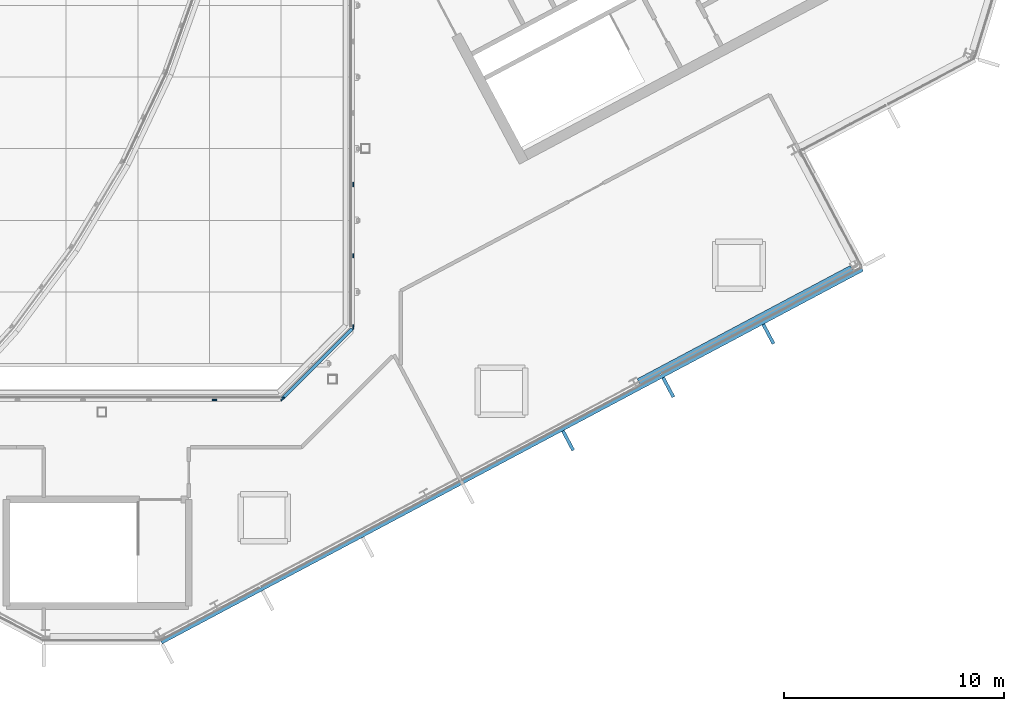
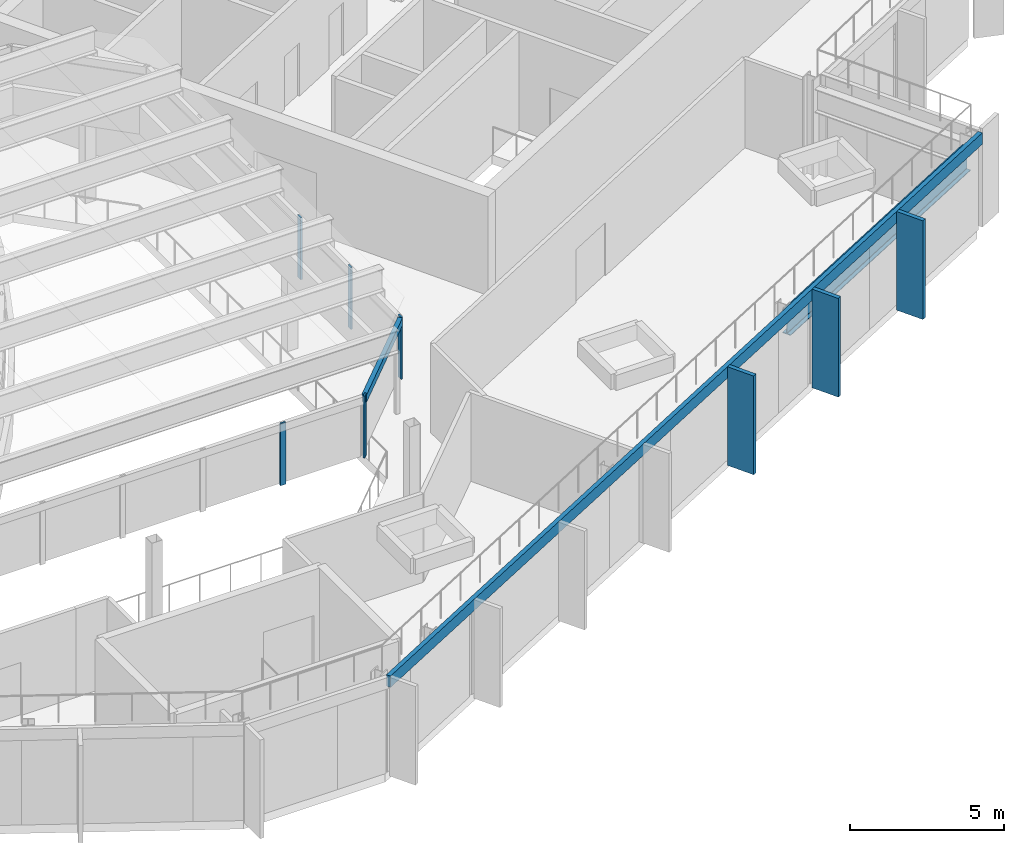
# One storey, part 15 of 35: 10 members, 1 beam, 4 elements without a shape of their own.
"""IFC4 building model written with IfcOpenShell, lengths in metres."""

from ifc_helpers import new_model, si_unit, direction, frame, origin, origin_2d, place, context, subcontext, project, spatial, rectangle, i_section, extrude, material, layer, layer_set, material_profile, profile_set, type_object, element, aggregate, save


model = new_model("IFC4")

# Units and contexts
model_context = context("Model", 3, precision=1e-05, world=origin(), true_north=direction((0.0, 1.0)))
body_context = subcontext(model_context, "Body", "Model", "MODEL_VIEW")
ifc_project = project(units=[si_unit("LENGTHUNIT", "METRE"), si_unit("AREAUNIT", "SQUARE_METRE"), si_unit("VOLUMEUNIT", "CUBIC_METRE"), si_unit("PLANEANGLEUNIT", "RADIAN"), si_unit("MASSUNIT", "GRAM", prefix="KILO")], contexts=[model_context])

# Site, building, storey
site_placement = place(None, origin())
site = spatial("IfcSite", under=ifc_project, at=site_placement, CompositionType="ELEMENT")
building_placement = place(site_placement, origin())
building = spatial("IfcBuilding", under=site, at=building_placement, Name="Cormorant Relay Tower", CompositionType="ELEMENT")
storey_placement = place(building_placement, frame((0.0, 0.0, 324.300048828125)))
storey = spatial("IfcBuildingStorey", under=building, at=storey_placement, Name="L74", CompositionType="ELEMENT", Elevation=324.300048828125)

# Curtain wall, members
ifc_material_1 = material(Name="Aluminium 6063-T6 anodised bronze", Category="aluminium")
ifc_layer_1 = layer(ifc_material_1, 0.199951171875)
ifc_layer_set_1 = layer_set([ifc_layer_1], Name="CW1 unitised bronze curtain wall with vertical fins")
curtain_wall_type_1 = type_object("IfcCurtainWallType", Name="CW1 unitised bronze curtain wall with vertical fins", PredefinedType="NOTDEFINED", material=ifc_layer_set_1)
curtain_wall_1_placement = place(storey_placement, origin())
curtain_wall_1 = element("IfcCurtainWall", 1, at=curtain_wall_1_placement, inside=storey, type_object=curtain_wall_type_1, Name="CW1 curtain wall 2", PredefinedType="NOTDEFINED")
ifc_material_2 = material(Name="Aluminium 6063-T6 anodised bronze", Category="aluminium")
ifc_material_profile_1 = material_profile(ifc_material_2, rectangle(XDim=0.14990234375, YDim=1.0, at=origin_2d()), Name="AL 150x1000")
ifc_profile_set_1 = profile_set([ifc_material_profile_1], Name="Aluminium 6063-T6 anodised bronze")
member_type_1 = type_object("IfcMemberType", Name="CW1 bronze fin mullion 150 x 1000", PredefinedType="MULLION", material=ifc_profile_set_1)
member_1_placement = place(storey_placement, frame((21.224609375, -13.29150390625, 0.0), z_axis=(0.0, 0.0, 1.0), x_axis=(0.882947592859, 0.469471562786, 0.0)))
member_1 = element("IfcMember", 2, at=member_1_placement, type_object=member_type_1, Name="CW1 fin 2.5", PredefinedType="MULLION", context=body_context, shape_type="SweptSolid", body=[
    extrude(rectangle(XDim=0.14990234375, YDim=1.0, at=origin_2d()), origin(), (0.0, 0.0, 1.0), 3.89990234375),
])
member_2_placement = place(storey_placement, frame((25.78662109375, -10.865966796875, 0.0), z_axis=(0.0, 0.0, 1.0), x_axis=(0.882947592859, 0.469471562786, 0.0)))
member_2 = element("IfcMember", 3, at=member_2_placement, type_object=member_type_1, Name="CW1 fin 2.6", PredefinedType="MULLION", context=body_context, shape_type="SweptSolid", body=[
    extrude(rectangle(XDim=0.14990234375, YDim=1.0, at=origin_2d()), origin(), (0.0, 0.0, 1.0), 3.89990234375),
])
member_3_placement = place(storey_placement, frame((30.348388671875, -8.440185546875, 0.0), z_axis=(0.0, 0.0, 1.0), x_axis=(0.882947592859, 0.469471562786, 0.0)))
member_3 = element("IfcMember", 4, at=member_3_placement, type_object=member_type_1, Name="CW1 fin 2.7", PredefinedType="MULLION", context=body_context, shape_type="SweptSolid", body=[
    extrude(rectangle(XDim=0.14990234375, YDim=1.0, at=origin_2d()), origin(), (0.0, 0.0, 1.0), 3.89990234375),
])
ifc_material_3 = material(Name="Aluminium 6063-T6 anodised bronze", Category="aluminium")
ifc_material_profile_2 = material_profile(ifc_material_3, rectangle(XDim=0.159912109375, YDim=0.449951171875, at=origin_2d()), Name="AL 160x450")
ifc_profile_set_2 = profile_set([ifc_material_profile_2], Name="Aluminium 6063-T6 anodised bronze")
member_type_2 = type_object("IfcMemberType", Name="CW1 bronze transom 160 x 450", PredefinedType="USERDEFINED", material=ifc_profile_set_2)
member_4_placement = place(storey_placement, frame((2.705078125, -22.4814453125, 3.675048828125), z_axis=(0.882948899141, 0.469469106018, 0.0), x_axis=(-0.469469106018, 0.882948899141, 0.0)))
member_4 = element("IfcMember", 5, at=member_4_placement, type_object=member_type_2, Name="CW1 transom 2", ObjectType="TRANSOM", PredefinedType="USERDEFINED", context=body_context, shape_type="SweptSolid", body=[
    extrude(rectangle(XDim=0.159912109375, YDim=0.449951171875, at=origin_2d()), origin(), (0.0, 0.0, 1.0), 36.165771484375),
])
aggregate(curtain_wall_1, [member_1, member_2, member_3, member_4])

# Curtain wall, member
ifc_material_4 = material(Name="Aluminium 6063-T6 anodised bronze", Category="aluminium")
ifc_layer_2 = layer(ifc_material_4, 0.199951171875)
ifc_layer_set_2 = layer_set([ifc_layer_2], Name="CW5 atrium lantern curtain wall")
curtain_wall_type_2 = type_object("IfcCurtainWallType", Name="CW5 atrium lantern curtain wall", PredefinedType="NOTDEFINED", material=ifc_layer_set_2)
curtain_wall_2_placement = place(storey_placement, origin())
curtain_wall_2 = element("IfcCurtainWall", 6, at=curtain_wall_2_placement, inside=storey, type_object=curtain_wall_type_2, Name="CW5 atrium lantern wall 7", PredefinedType="NOTDEFINED")
ifc_material_5 = material(Name="Aluminium 6063-T6 anodised bronze", Category="aluminium")
ifc_material_profile_3 = material_profile(ifc_material_5, rectangle(XDim=0.199951171875, YDim=0.06005859375, at=origin_2d()), Name="AL 60x200")
ifc_profile_set_3 = profile_set([ifc_material_profile_3], Name="Aluminium 6063-T6 anodised bronze")
member_type_3 = type_object("IfcMemberType", Name="CW5 bronze mullion 60 x 200", PredefinedType="MULLION", material=ifc_profile_set_3)
member_5_placement = place(storey_placement, frame((5.130615234375, -11.43994140625, 3.89990234375), z_axis=(0.0, 0.0, 1.0), x_axis=(1.0, 0.0, 0.0)))
member_5 = element("IfcMember", 7, at=member_5_placement, type_object=member_type_3, Name="CW5 mullion 7.5", PredefinedType="MULLION", context=body_context, shape_type="SweptSolid", body=[
    extrude(rectangle(XDim=0.199951171875, YDim=0.06005859375, at=origin_2d()), origin(), (0.0, 0.0, 1.0), 2.449951171875),
])
aggregate(curtain_wall_2, [member_5])

curtain_wall_3_placement = place(storey_placement, origin())
curtain_wall_3 = element("IfcCurtainWall", 8, at=curtain_wall_3_placement, inside=storey, type_object=curtain_wall_type_2, Name="CW5 atrium lantern wall 8", PredefinedType="NOTDEFINED")
member_6_placement = place(storey_placement, frame((8.223388671875, -11.39892578125, 3.89990234375), z_axis=(0.0, 0.0, 1.0), x_axis=(0.707106781187, 0.707106781187, 0.0)))
member_6 = element("IfcMember", 9, at=member_6_placement, type_object=member_type_3, Name="CW5 mullion 8.1", PredefinedType="MULLION", context=body_context, shape_type="SweptSolid", body=[
    extrude(rectangle(XDim=0.199951171875, YDim=0.06005859375, at=origin_2d()), origin(), (0.0, 0.0, 1.0), 2.449951171875),
])

# Curtain wall, members
curtain_wall_4_placement = place(storey_placement, origin())
curtain_wall_4 = element("IfcCurtainWall", 10, at=curtain_wall_4_placement, inside=storey, type_object=curtain_wall_type_2, Name="CW5 atrium lantern wall 9", PredefinedType="NOTDEFINED")
member_7_placement = place(storey_placement, frame((11.43994140625, -8.124267578125, 3.89990234375), z_axis=(0.0, 0.0, 1.0), x_axis=(0.0, 1.0, 0.0)))
member_7 = element("IfcMember", 11, at=member_7_placement, type_object=member_type_3, Name="CW5 mullion 9.1", PredefinedType="MULLION", context=body_context, shape_type="SweptSolid", body=[
    extrude(rectangle(XDim=0.199951171875, YDim=0.06005859375, at=origin_2d()), origin(), (0.0, 0.0, 1.0), 2.449951171875),
])
member_8_placement = place(storey_placement, frame((11.43994140625, -4.87451171875, 3.89990234375), z_axis=(0.0, 0.0, 1.0), x_axis=(0.0, 1.0, 0.0)))
member_8 = element("IfcMember", 12, at=member_8_placement, type_object=member_type_3, Name="CW5 mullion 9.2", PredefinedType="MULLION", context=body_context, shape_type="SweptSolid", body=[
    extrude(rectangle(XDim=0.199951171875, YDim=0.06005859375, at=origin_2d()), origin(), (0.0, 0.0, 1.0), 2.449951171875),
])
member_9_placement = place(storey_placement, frame((11.43994140625, -1.625, 3.89990234375), z_axis=(0.0, 0.0, 1.0), x_axis=(0.0, 1.0, 0.0)))
member_9 = element("IfcMember", 13, at=member_9_placement, type_object=member_type_3, Name="CW5 mullion 9.3", PredefinedType="MULLION", context=body_context, shape_type="SweptSolid", body=[
    extrude(rectangle(XDim=0.199951171875, YDim=0.06005859375, at=origin_2d()), origin(), (0.0, 0.0, 1.0), 2.449951171875),
])
aggregate(curtain_wall_4, [member_7, member_8, member_9])

# Member
ifc_material_6 = material(Name="Aluminium 6063-T6 anodised bronze", Category="aluminium")
ifc_material_profile_4 = material_profile(ifc_material_6, rectangle(XDim=0.159912109375, YDim=0.300048828125, at=origin_2d()), Name="AL 160x300")
ifc_profile_set_4 = profile_set([ifc_material_profile_4], Name="Aluminium 6063-T6 anodised bronze")
member_type_4 = type_object("IfcMemberType", Name="CW5 bronze transom 160 x 300", PredefinedType="USERDEFINED", material=ifc_profile_set_4)
member_10_placement = place(storey_placement, frame((8.208984375, -11.385009765625, 6.199951171875), z_axis=(0.707106781187, 0.707106781187, 0.0), x_axis=(-0.707106781187, 0.707106781187, 0.0)))
member_10 = element("IfcMember", 14, at=member_10_placement, type_object=member_type_4, Name="CW5 transom 8", ObjectType="TRANSOM", PredefinedType="USERDEFINED", context=body_context, shape_type="SweptSolid", body=[
    extrude(rectangle(XDim=0.159912109375, YDim=0.300048828125, at=origin_2d()), origin(), (0.0, 0.0, 1.0), 4.49169921875),
])

aggregate(curtain_wall_3, [member_6, member_10])

# Beam
ifc_material_7 = material(Name="Steel ASTM A992 (Fy 345 MPa)", Category="steel")
ifc_material_profile_5 = material_profile(ifc_material_7, i_section(OverallWidth=0.307373046875, OverallDepth=0.927001953125, WebThickness=0.019287109375, FlangeThickness=0.031982421875, FilletRadius=0.01904296875, at=origin_2d()), Name="W920x289")
ifc_profile_set_5 = profile_set([ifc_material_profile_5], Name="Steel ASTM A992 (Fy 345 MPa)")
beam_type = type_object("IfcBeamType", Name="Spandrel W920x289", PredefinedType="SPANDREL", material=ifc_profile_set_5)
beam_placement = place(storey_placement, frame((24.44287109375, -10.61328125, 3.0361328125), z_axis=(0.882957797597, 0.469452369961, 0.0), x_axis=(-0.469452369961, 0.882957797597, 0.0)))
element("IfcBeam", 15, at=beam_placement, inside=storey, type_object=beam_type, Name="Spandrel beam L74-002", PredefinedType="SPANDREL", context=body_context, shape_type="SweptSolid", body=[
    extrude(i_section(OverallWidth=0.307373046875, OverallDepth=0.927001953125, WebThickness=0.019287109375, FlangeThickness=0.031982421875, FilletRadius=0.01904296875, at=origin_2d()), origin(), (0.0, 0.0, 1.0), 10.992431640625),
])

save(model, "model.ifc")
